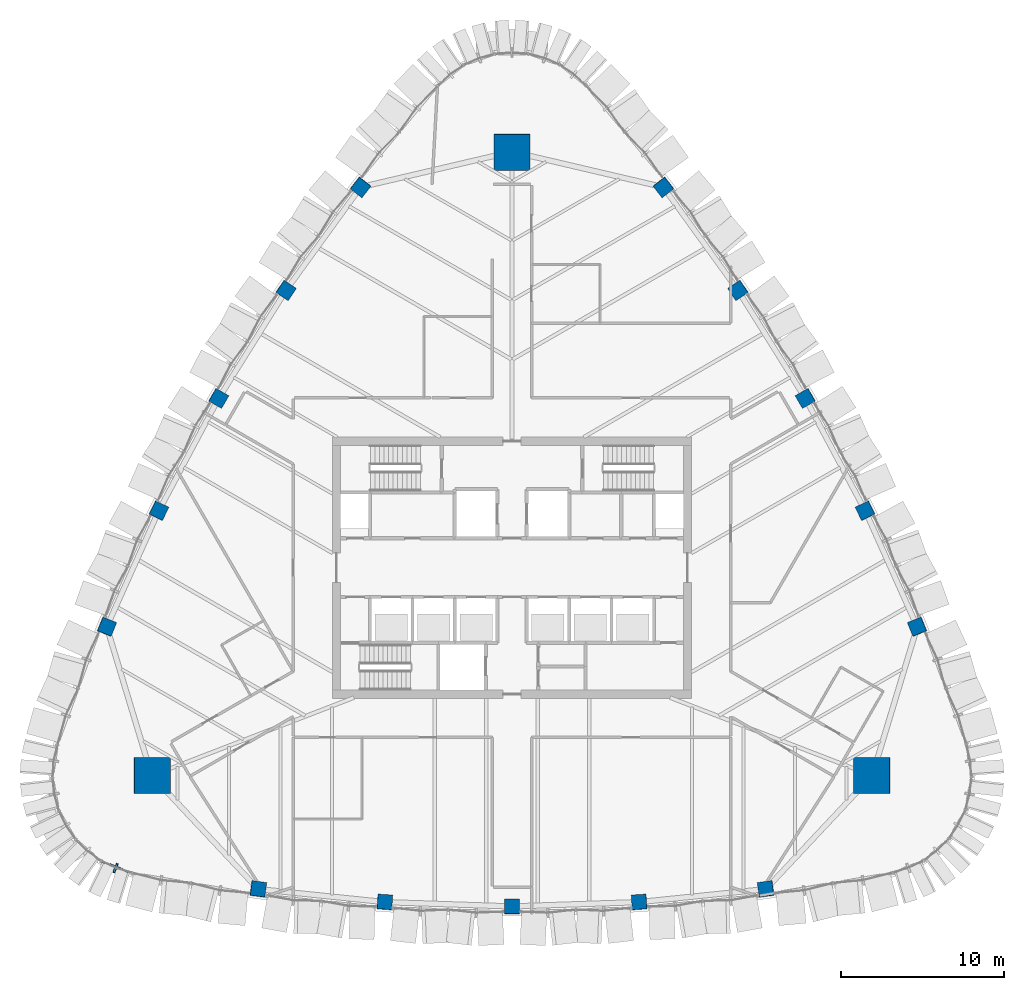
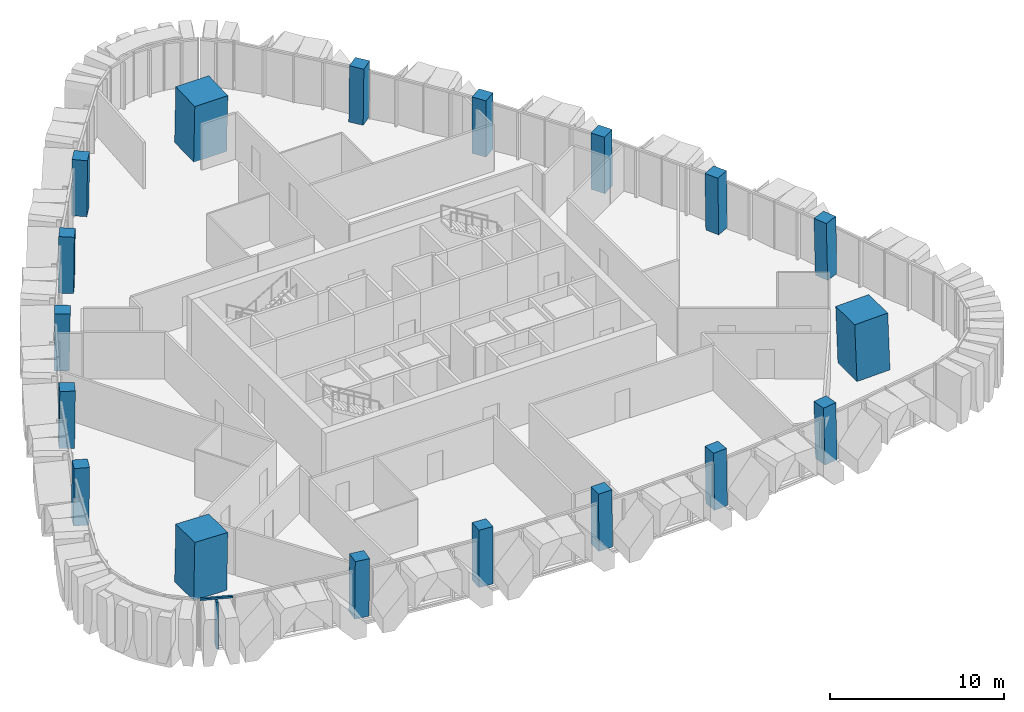
# One storey, part 1 of 20: 18 columns, 2 members, 1 element without a shape of its own.
"""IFC4 building model written with IfcOpenShell, lengths in metres."""

from ifc_helpers import new_model, si_unit, direction, frame, origin, origin_2d, place, context, subcontext, project, spatial, rectangle, extrude, material, layer, layer_set, material_profile, profile_set, type_object, element, aggregate, save


model = new_model("IFC4")

# Units and contexts
model_context = context("Model", 3, precision=1e-05, world=origin(), true_north=direction((0.0, 1.0)))
body_context = subcontext(model_context, "Body", "Model", "MODEL_VIEW")
ifc_project = project(units=[si_unit("LENGTHUNIT", "METRE"), si_unit("AREAUNIT", "SQUARE_METRE"), si_unit("VOLUMEUNIT", "CUBIC_METRE"), si_unit("PLANEANGLEUNIT", "RADIAN"), si_unit("MASSUNIT", "GRAM", prefix="KILO")], contexts=[model_context])

# Site, building, storey
site_placement = place(None, origin())
site = spatial("IfcSite", under=ifc_project, at=site_placement, CompositionType="ELEMENT")
building_placement = place(site_placement, origin())
building = spatial("IfcBuilding", under=site, at=building_placement, Name="Sierra Prisma Convention Tower", CompositionType="ELEMENT")
storey_placement = place(building_placement, frame((0.0, 0.0, 239.0)))
storey = spatial("IfcBuildingStorey", under=building, at=storey_placement, Name="L53", CompositionType="ELEMENT", Elevation=239.0)

# Columns
ifc_material_1 = material(Name="Concrete C50/60", Category="concrete")
ifc_material_profile_1 = material_profile(ifc_material_1, rectangle(XDim=2.199951171875, YDim=2.199951171875, at=origin_2d()), Name="Mega column RC 2200 C50/60")
ifc_profile_set_1 = profile_set([ifc_material_profile_1], Name="Concrete C50/60")
column_type_1 = type_object("IfcColumnType", Name="Mega column RC 2200 C50/60", PredefinedType="COLUMN", material=ifc_profile_set_1)
column_1_placement = place(storey_placement, frame((22.069091796875, -12.74169921875, 0.0), z_axis=(-0.027878605886, 0.016104927689, 0.999481572936), x_axis=(0.999611316129, 0.000449157512, 0.02787498742)))
element("IfcColumn", 1, at=column_1_placement, inside=storey, type_object=column_type_1, Name="Mega column SE L53", PredefinedType="COLUMN", context=body_context, shape_type="SweptSolid", body=[
    extrude(rectangle(XDim=2.199951171875, YDim=2.199951171875, at=origin_2d()), origin(), (0.0, 0.0, 1.0), 4.001953125),
])
column_2_placement = place(storey_placement, frame((0.0, 25.4833984375, 0.0), z_axis=(0.0, -0.032209841054, 0.999481128456), x_axis=(1.0, 0.0, 0.0)))
element("IfcColumn", 2, at=column_2_placement, inside=storey, type_object=column_type_1, Name="Mega column N L53", PredefinedType="COLUMN", context=body_context, shape_type="SweptSolid", body=[
    extrude(rectangle(XDim=2.199951171875, YDim=2.199951171875, at=origin_2d()), origin(), (0.0, 0.0, 1.0), 4.002197265625),
])
column_3_placement = place(storey_placement, frame((-22.069091796875, -12.74169921875, 0.0), z_axis=(0.027878605886, 0.016104927689, 0.999481572936), x_axis=(0.999611316129, -0.000449157512, -0.02787498742)))
element("IfcColumn", 3, at=column_3_placement, inside=storey, type_object=column_type_1, Name="Mega column SW L53", PredefinedType="COLUMN", context=body_context, shape_type="SweptSolid", body=[
    extrude(rectangle(XDim=2.199951171875, YDim=2.199951171875, at=origin_2d()), origin(), (0.0, 0.0, 1.0), 4.001953125),
])
ifc_material_2 = material(Name="Concrete C50/60", Category="concrete")
ifc_material_profile_2 = material_profile(ifc_material_2, rectangle(XDim=0.89990234375, YDim=0.89990234375, at=origin_2d()), Name="Perimeter column RC 900 C50/60")
ifc_profile_set_2 = profile_set([ifc_material_profile_2], Name="Concrete C50/60")
column_type_2 = type_object("IfcColumnType", Name="Perimeter column RC 900 C50/60", PredefinedType="COLUMN", material=ifc_profile_set_2)
column_4_placement = place(storey_placement, frame((-15.551513671875, -19.688720703125, 0.0), z_axis=(0.017574453011, 0.010434831475, 0.999791104628), x_axis=(-0.990548112361, 0.136230512551, 0.015990139082)))
element("IfcColumn", 4, at=column_4_placement, inside=storey, type_object=column_type_2, Name="Perimeter column S-1 L53", PredefinedType="COLUMN", context=body_context, shape_type="SweptSolid", body=[
    extrude(rectangle(XDim=0.89990234375, YDim=0.89990234375, at=origin_2d()), origin(), (0.0, 0.0, 1.0), 4.000732421875),
])
column_5_placement = place(storey_placement, frame((-7.7939453125, -20.4853515625, 0.0), z_axis=(0.008788174922, 0.01116830563, 0.999899013366), x_axis=(-0.997634103873, 0.068279607313, 0.008005623951)))
element("IfcColumn", 5, at=column_5_placement, inside=storey, type_object=column_type_2, Name="Perimeter column S-2 L53", PredefinedType="COLUMN", context=body_context, shape_type="SweptSolid", body=[
    extrude(rectangle(XDim=0.89990234375, YDim=0.89990234375, at=origin_2d()), origin(), (0.0, 0.0, 1.0), 4.00048828125),
])
column_6_placement = place(storey_placement, frame((0.0, -20.75146484375, 0.0), z_axis=(0.0, 0.01141283087, 0.999934871525), x_axis=(1.0, 0.0, 0.0)))
element("IfcColumn", 6, at=column_6_placement, inside=storey, type_object=column_type_2, Name="Perimeter column S-3 L53", PredefinedType="COLUMN", context=body_context, shape_type="SweptSolid", body=[
    extrude(rectangle(XDim=0.89990234375, YDim=0.89990234375, at=origin_2d()), origin(), (0.0, 0.0, 1.0), 4.000244140625),
])
column_7_placement = place(storey_placement, frame((7.7939453125, -20.4853515625, 0.0), z_axis=(-0.008788174922, 0.01116830563, 0.999899013366), x_axis=(0.997634103873, 0.068279607313, 0.008005623951)))
element("IfcColumn", 7, at=column_7_placement, inside=storey, type_object=column_type_2, Name="Perimeter column S-4 L53", PredefinedType="COLUMN", context=body_context, shape_type="SweptSolid", body=[
    extrude(rectangle(XDim=0.89990234375, YDim=0.89990234375, at=origin_2d()), origin(), (0.0, 0.0, 1.0), 4.00048828125),
])
for number, where, z_axis, x_axis, name in (
    (8, (15.551513671875, -19.688720703125, 0.0), (-0.017574453011, 0.010434831475, 0.999791104628), (0.990548112361, 0.136230512551, 0.015990139082), "Perimeter column S-5 L53"),
    (9, (24.826416015625, -3.623779296875, 0.0), (-0.017757540332, 0.01000768596, 0.999792236409), (-0.377462895724, 0.925886955213, -0.015972116901), "Perimeter column NE-1 L53"),
):
    element("IfcColumn", number, at=place(storey_placement, frame(where, z_axis=z_axis, x_axis=x_axis)), inside=storey, type_object=column_type_2, Name=name, PredefinedType="COLUMN", context=body_context, shape_type="SweptSolid", body=[
        extrude(rectangle(XDim=0.89990234375, YDim=0.89990234375, at=origin_2d()), origin(), (0.0, 0.0, 1.0), 4.000732421875),
    ])
column_8_placement = place(storey_placement, frame((21.6376953125, 3.492919921875, 0.0), z_axis=(-0.014036672696, 0.002074986399, 0.999899328058), x_axis=(-0.43974223554, 0.898088066598, -0.008036847439)))
element("IfcColumn", 10, at=column_8_placement, inside=storey, type_object=column_type_2, Name="Perimeter column NE-2 L53", PredefinedType="COLUMN", context=body_context, shape_type="SweptSolid", body=[
    extrude(rectangle(XDim=0.89990234375, YDim=0.89990234375, at=origin_2d()), origin(), (0.0, 0.0, 1.0), 4.00048828125),
])
column_9_placement = place(storey_placement, frame((17.97119140625, 10.375732421875, 0.0), z_axis=(-0.009887049298, -0.00573692984, 0.999934664812), x_axis=(-0.499975560967, 0.866039512843, 2.5126546e-05)))
element("IfcColumn", 11, at=column_9_placement, inside=storey, type_object=column_type_2, Name="Perimeter column NE-3 L53", PredefinedType="COLUMN", context=body_context, shape_type="SweptSolid", body=[
    extrude(rectangle(XDim=0.89990234375, YDim=0.89990234375, at=origin_2d()), origin(), (0.0, 0.0, 1.0), 4.000244140625),
])
column_10_placement = place(storey_placement, frame((13.843994140625, 16.992431640625, 0.0), z_axis=(-0.005309522349, -0.013182262383, 0.999899013366), x_axis=(-0.557879204243, 0.829883809539, 0.007978479742)))
element("IfcColumn", 12, at=column_10_placement, inside=storey, type_object=column_type_2, Name="Perimeter column NE-4 L53", PredefinedType="COLUMN", context=body_context, shape_type="SweptSolid", body=[
    extrude(rectangle(XDim=0.89990234375, YDim=0.89990234375, at=origin_2d()), origin(), (0.0, 0.0, 1.0), 4.00048828125),
])
for number, where, z_axis, x_axis, name in (
    (13, (9.275146484375, 23.312255859375, 0.0), (-0.000305112375, -0.020381506621, 0.999792228963), (-0.613178667767, 0.7897839523, 0.015913204756), "Perimeter column NE-5 L53"),
    (14, (-9.275146484375, 23.312255859375, 0.0), (0.000305112375, -0.020381506621, 0.999792228963), (0.613178667767, 0.7897839523, 0.015913204756), "Perimeter column NW-1 L53"),
):
    element("IfcColumn", number, at=place(storey_placement, frame(where, z_axis=z_axis, x_axis=x_axis)), inside=storey, type_object=column_type_2, Name=name, PredefinedType="COLUMN", context=body_context, shape_type="SweptSolid", body=[
        extrude(rectangle(XDim=0.89990234375, YDim=0.89990234375, at=origin_2d()), origin(), (0.0, 0.0, 1.0), 4.000732421875),
    ])
column_11_placement = place(storey_placement, frame((-13.843994140625, 16.992431640625, 0.0), z_axis=(0.005309522349, -0.013182262383, 0.999899013366), x_axis=(0.557879204243, 0.829883809539, 0.007978479742)))
element("IfcColumn", 15, at=column_11_placement, inside=storey, type_object=column_type_2, Name="Perimeter column NW-2 L53", PredefinedType="COLUMN", context=body_context, shape_type="SweptSolid", body=[
    extrude(rectangle(XDim=0.89990234375, YDim=0.89990234375, at=origin_2d()), origin(), (0.0, 0.0, 1.0), 4.00048828125),
])
column_12_placement = place(storey_placement, frame((-17.97119140625, 10.375732421875, 0.0), z_axis=(0.009887049298, -0.00573692984, 0.999934664812), x_axis=(0.499975560967, 0.866039512843, 2.5126546e-05)))
element("IfcColumn", 16, at=column_12_placement, inside=storey, type_object=column_type_2, Name="Perimeter column NW-3 L53", PredefinedType="COLUMN", context=body_context, shape_type="SweptSolid", body=[
    extrude(rectangle(XDim=0.89990234375, YDim=0.89990234375, at=origin_2d()), origin(), (0.0, 0.0, 1.0), 4.000244140625),
])
column_13_placement = place(storey_placement, frame((-21.6376953125, 3.492919921875, 0.0), z_axis=(0.014036672696, 0.002074986399, 0.999899328058), x_axis=(0.43974223554, 0.898088066598, -0.008036847439)))
element("IfcColumn", 17, at=column_13_placement, inside=storey, type_object=column_type_2, Name="Perimeter column NW-4 L53", PredefinedType="COLUMN", context=body_context, shape_type="SweptSolid", body=[
    extrude(rectangle(XDim=0.89990234375, YDim=0.89990234375, at=origin_2d()), origin(), (0.0, 0.0, 1.0), 4.00048828125),
])
column_14_placement = place(storey_placement, frame((-24.826416015625, -3.623779296875, 0.0), z_axis=(0.017757540332, 0.01000768596, 0.999792236409), x_axis=(0.377462895724, 0.925886955213, -0.015972116901)))
element("IfcColumn", 18, at=column_14_placement, inside=storey, type_object=column_type_2, Name="Perimeter column NW-5 L53", PredefinedType="COLUMN", context=body_context, shape_type="SweptSolid", body=[
    extrude(rectangle(XDim=0.89990234375, YDim=0.89990234375, at=origin_2d()), origin(), (0.0, 0.0, 1.0), 4.000732421875),
])

# Curtain wall, members
ifc_material_3 = material(Name="Aluminium and glass curtain wall", Category="aluminium")
ifc_layer = layer(ifc_material_3, 0.179931640625)
ifc_layer_set = layer_set([ifc_layer], Name="CW-2 Faceted crystal curtain wall")
curtain_wall_type = type_object("IfcCurtainWallType", Name="CW-2 Faceted crystal curtain wall", PredefinedType="NOTDEFINED", material=ifc_layer_set)
curtain_wall_placement = place(storey_placement, origin())
curtain_wall = element("IfcCurtainWall", 19, at=curtain_wall_placement, inside=storey, type_object=curtain_wall_type, Name="CW-2 SW5 L53", PredefinedType="NOTDEFINED")
ifc_material_4 = material(Name="Aluminium 6063-T6 bronze anodised", Category="aluminium")
ifc_material_profile_3 = material_profile(ifc_material_4, rectangle(XDim=0.1201171875, YDim=0.60009765625, at=origin_2d()), Name="ALU RIDGE BLADE 120x600")
ifc_profile_set_3 = profile_set([ifc_material_profile_3], Name="Aluminium 6063-T6 bronze anodised")
member_type_1 = type_object("IfcMemberType", Name="CW hip bronze", PredefinedType="MULLION", material=ifc_profile_set_3)
member_1_placement = place(storey_placement, frame((-24.28662109375, -18.404541015625, 0.0), z_axis=(0.0, 0.0, 1.0), x_axis=(0.93116008376, -0.364610612041, 0.0)))
member_1 = element("IfcMember", 20, at=member_1_placement, type_object=member_type_1, Name="CW-2 ridge SW5.1", PredefinedType="MULLION", context=body_context, shape_type="SweptSolid", body=[
    extrude(rectangle(XDim=0.1201171875, YDim=0.60009765625, at=origin_2d()), origin(), (0.0, 0.0, 1.0), 3.280029296875),
])
ifc_material_5 = material(Name="Aluminium 6063-T6 bronze anodised", Category="aluminium")
ifc_material_profile_4 = material_profile(ifc_material_5, rectangle(XDim=0.139892578125, YDim=0.1201171875, at=origin_2d()), Name="ALU TRANSOM 120x140")
ifc_profile_set_4 = profile_set([ifc_material_profile_4], Name="Aluminium 6063-T6 bronze anodised")
member_type_2 = type_object("IfcMemberType", Name="CW transom bronze", PredefinedType="USERDEFINED", material=ifc_profile_set_4)
member_2_placement = place(storey_placement, frame((-25.1455078125, -17.98779296875, 3.340087890625), z_axis=(0.931193568468, -0.364525085618, 0.0), x_axis=(0.364525085618, 0.931193568468, 0.0)))
member_2 = element("IfcMember", 21, at=member_2_placement, type_object=member_type_2, Name="CW-1 transom SW5.1", ObjectType="TRANSOM", PredefinedType="USERDEFINED", context=body_context, shape_type="SweptSolid", body=[
    extrude(rectangle(XDim=0.139892578125, YDim=0.1201171875, at=origin_2d()), origin(), (0.0, 0.0, 1.0), 1.9033203125),
])
aggregate(curtain_wall, [member_2, member_1])

save(model, "model.ifc")
